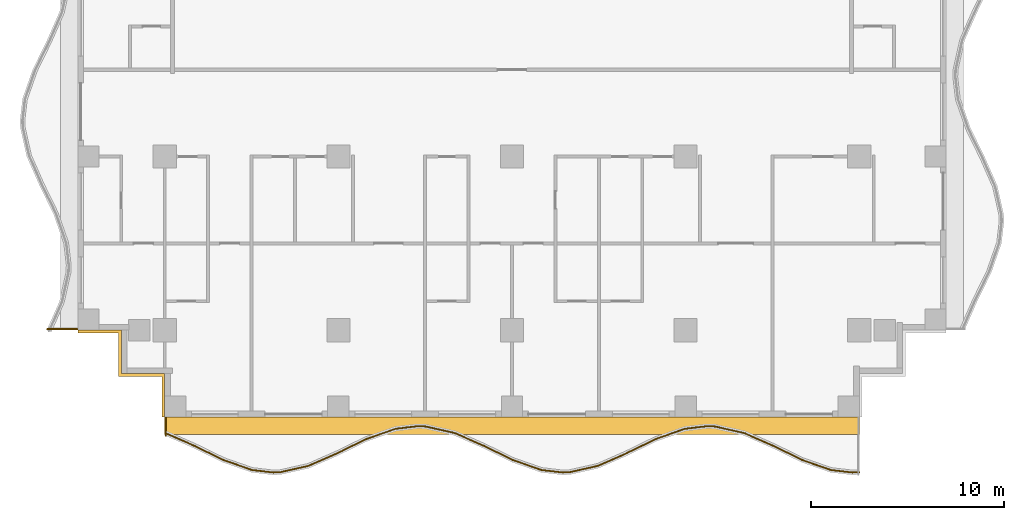
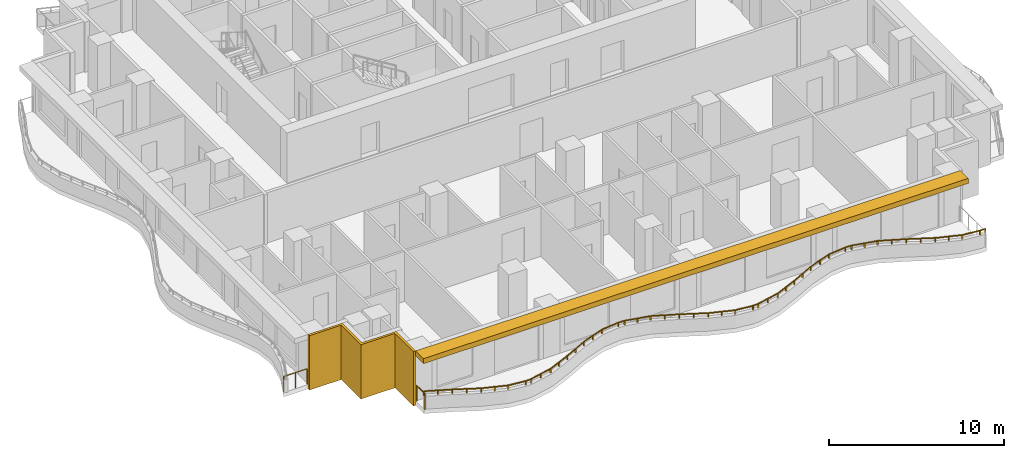
# One storey, part 7 of 10: 3 railings, 2 shading devices.
"""IFC4 building model written with IfcOpenShell, lengths in metres."""

from ifc_helpers import new_model, si_unit, direction, frame, origin, origin_2d, place, context, subcontext, project, spatial, polyline, rectangle, outline, extrude, material, layer, layer_set, type_object, element, save


model = new_model("IFC4")

# Units and contexts
model_context = context("Model", 3, precision=1e-05, world=origin(), true_north=direction((0.0, 1.0)))
body_context = subcontext(model_context, "Body", "Model", "MODEL_VIEW")
ifc_project = project(units=[si_unit("LENGTHUNIT", "METRE"), si_unit("AREAUNIT", "SQUARE_METRE"), si_unit("VOLUMEUNIT", "CUBIC_METRE"), si_unit("PLANEANGLEUNIT", "RADIAN"), si_unit("MASSUNIT", "GRAM", prefix="KILO")], contexts=[model_context])

# Site, building, storey
site_placement = place(None, origin())
site = spatial("IfcSite", under=ifc_project, at=site_placement, CompositionType="ELEMENT")
building_placement = place(site_placement, origin())
building = spatial("IfcBuilding", under=site, at=building_placement, Name="Orbiselva Terraces", CompositionType="ELEMENT")
storey_placement = place(building_placement, frame((0.0, 0.0, 170.6)))
storey = spatial("IfcBuildingStorey", under=building, at=storey_placement, Name="L43", CompositionType="ELEMENT", Elevation=170.6)

# Railings
ifc_material_1 = material(Name="Bonded two-ply safety glass balustrade, stainless steel posts", Category="steel")
railing_type_1 = type_object("IfcRailingType", Name="ENV-BALUSTRADE-1200", PredefinedType="BALUSTRADE", material=ifc_material_1)
railing_1_placement = place(storey_placement, frame((-17.949606, -18.83708, 0.9)))
element("IfcRailing", 1, at=railing_1_placement, inside=storey, type_object=railing_type_1, Name="Balcony balustrade L43 S", PredefinedType="BALUSTRADE", context=body_context, shape_type="SweptSolid", body=[
    extrude(outline(polyline([(0.028868, 0.0), (0.014434, 0.025), (-0.014434, 0.025), (-0.028868, 0.0), (-0.014434, -0.025), (0.014434, -0.025), (0.028868, 0.0)])), frame((0.0, 0.0, 0.275), z_axis=(0.915133394491, -0.403151175476, 0.0), x_axis=(0.403151175476, 0.915133394491, 0.0)), (0.0, 0.0, 1.0), 1.641563),
    extrude(outline(polyline([(0.028868, 0.0), (0.014434, 0.025), (-0.014434, 0.025), (-0.028868, 0.0), (-0.014434, -0.025), (0.014434, -0.025), (0.028868, 0.0)])), frame((1.502249, -0.661798, 0.275), z_axis=(0.89857890432, -0.438811978768, 0.0), x_axis=(0.438811978768, 0.89857890432, 0.0)), (0.0, 0.0, 1.0), 1.66438),
    extrude(outline(polyline([(0.028868, 0.0), (0.014434, 0.025), (-0.014434, 0.025), (-0.028868, 0.0), (-0.014434, -0.025), (0.014434, -0.025), (0.028868, 0.0)])), frame((2.997826, -1.392148, 0.275), z_axis=(0.943972277814, -0.330024754707, 0.0), x_axis=(0.330024754707, 0.943972277814, 0.0)), (0.0, 0.0, 1.0), 1.567807),
    extrude(outline(polyline([(0.028868, 0.0), (0.014434, 0.025), (-0.014434, 0.025), (-0.028868, 0.0), (-0.014434, -0.025), (0.014434, -0.025), (0.028868, 0.0)])), frame((4.477792, -1.909563, 0.275), z_axis=(0.993309658409, -0.115481264762, 0.0), x_axis=(0.115481264762, 0.993309658409, 0.0)), (0.0, 0.0, 1.0), 1.10902),
    extrude(outline(polyline([(0.028868, 0.0), (0.014434, 0.025), (-0.014434, 0.025), (-0.028868, 0.0), (-0.014434, -0.025), (0.014434, -0.025), (0.028868, 0.0)])), frame((5.579392, -2.037634, 0.275), z_axis=(0.999224931454, 0.039364150694, 0.0), x_axis=(-0.039364150694, 0.999224931454, 0.0)), (0.0, 0.0, 1.0), 0.354206),
    extrude(outline(polyline([(0.028868, 0.0), (0.014434, 0.025), (-0.014434, 0.025), (-0.028868, 0.0), (-0.014434, -0.025), (0.014434, -0.025), (0.028868, 0.0)])), frame((5.933323, -2.023691, 0.275), z_axis=(0.975721325753, 0.219015740235, 0.0), x_axis=(-0.219015740235, 0.975721325753, 0.0)), (0.0, 0.0, 1.0), 1.513782),
    extrude(outline(polyline([(0.028868, 0.0), (0.014434, 0.025), (-0.014434, 0.025), (-0.028868, 0.0), (-0.014434, -0.025), (0.014434, -0.025), (0.028868, 0.0)])), frame((7.410352, -1.692149, 0.275), z_axis=(0.915133363686, 0.403151245402, 0.0), x_axis=(-0.403151245402, 0.915133363686, 0.0)), (0.0, 0.0, 1.0), 1.624475),
    extrude(outline(polyline([(0.028868, 0.0), (0.014434, 0.025), (-0.014434, 0.025), (-0.028868, 0.0), (-0.014434, -0.025), (0.014434, -0.025), (0.028868, 0.0)])), frame((8.896963, -1.03724, 0.275), z_axis=(0.898578870221, 0.438812048596, 0.0), x_axis=(-0.438812048596, 0.898578870221, 0.0)), (0.0, 0.0, 1.0), 1.674225),
    extrude(outline(polyline([(0.028868, 0.0), (0.014434, 0.025), (-0.014434, 0.025), (-0.028868, 0.0), (-0.014434, -0.025), (0.014434, -0.025), (0.028868, 0.0)])), frame((10.401386, -0.30257, 0.275), z_axis=(0.943972332783, 0.330024597479, 0.0), x_axis=(-0.330024597479, 0.943972332783, 0.0)), (0.0, 0.0, 1.0), 1.610253),
    extrude(outline(polyline([(0.028868, 0.0), (0.014434, 0.025), (-0.014434, 0.025), (-0.028868, 0.0), (-0.014434, -0.025), (0.014434, -0.025), (0.028868, 0.0)])), frame((11.92142, 0.228853, 0.275), z_axis=(0.993309551734, 0.115482182324, 0.0), x_axis=(-0.115482182324, 0.993309551734, 0.0)), (0.0, 0.0, 1.0), 1.156135),
    extrude(outline(polyline([(0.028868, 0.0), (0.014434, 0.025), (-0.014434, 0.025), (-0.028868, 0.0), (-0.014434, -0.025), (0.014434, -0.025), (0.028868, 0.0)])), frame((13.06982, 0.362366, 0.275), z_axis=(0.999224734286, -0.03936915532, 0.0), x_axis=(0.03936915532, 0.999224734286, 0.0)), (0.0, 0.0, 1.0), 0.396376),
    extrude(outline(polyline([(0.028868, 0.0), (0.014434, 0.025), (-0.014434, 0.025), (-0.028868, 0.0), (-0.014434, -0.025), (0.014434, -0.025), (0.028868, 0.0)])), frame((13.465889, 0.346761, 0.275), z_axis=(0.97572137947, -0.219015500924, 0.0), x_axis=(0.219015500924, 0.97572137947, 0.0)), (0.0, 0.0, 1.0), 1.560867),
    extrude(outline(polyline([(0.028868, 0.0), (0.014434, 0.025), (-0.014434, 0.025), (-0.028868, 0.0), (-0.014434, -0.025), (0.014434, -0.025), (0.028868, 0.0)])), frame((14.98886, 0.004907, 0.275), z_axis=(0.915133527237, -0.403150874148, 0.0), x_axis=(0.403150874148, 0.915133527237, 0.0)), (0.0, 0.0, 1.0), 1.653736),
    extrude(outline(polyline([(0.028868, 0.0), (0.014434, 0.025), (-0.014434, 0.025), (-0.028868, 0.0), (-0.014434, -0.025), (0.014434, -0.025), (0.028868, 0.0)])), frame((16.502249, -0.661798, 0.275), z_axis=(0.89857890432, -0.438811978768, 0.0), x_axis=(0.438811978768, 0.89857890432, 0.0)), (0.0, 0.0, 1.0), 1.66438),
    extrude(outline(polyline([(0.028868, 0.0), (0.014434, 0.025), (-0.014434, 0.025), (-0.028868, 0.0), (-0.014434, -0.025), (0.014434, -0.025), (0.028868, 0.0)])), frame((17.997826, -1.392148, 0.275), z_axis=(0.943972277814, -0.330024754707, 0.0), x_axis=(0.330024754707, 0.943972277814, 0.0)), (0.0, 0.0, 1.0), 1.567807),
    extrude(outline(polyline([(0.028868, 0.0), (0.014434, 0.025), (-0.014434, 0.025), (-0.028868, 0.0), (-0.014434, -0.025), (0.014434, -0.025), (0.028868, 0.0)])), frame((19.477792, -1.909563, 0.275), z_axis=(0.993309658409, -0.115481264762, 0.0), x_axis=(0.115481264762, 0.993309658409, 0.0)), (0.0, 0.0, 1.0), 1.10902),
    extrude(outline(polyline([(0.028868, 0.0), (0.014434, 0.025), (-0.014434, 0.025), (-0.028868, 0.0), (-0.014434, -0.025), (0.014434, -0.025), (0.028868, 0.0)])), frame((20.579392, -2.037634, 0.275), z_axis=(0.999224931454, 0.039364150694, 0.0), x_axis=(-0.039364150694, 0.999224931454, 0.0)), (0.0, 0.0, 1.0), 0.354206),
    extrude(outline(polyline([(0.028868, 0.0), (0.014434, 0.025), (-0.014434, 0.025), (-0.028868, 0.0), (-0.014434, -0.025), (0.014434, -0.025), (0.028868, 0.0)])), frame((20.933323, -2.023691, 0.275), z_axis=(0.975721325753, 0.219015740235, 0.0), x_axis=(-0.219015740235, 0.975721325753, 0.0)), (0.0, 0.0, 1.0), 1.513782),
    extrude(outline(polyline([(0.028868, 0.0), (0.014434, 0.025), (-0.014434, 0.025), (-0.028868, 0.0), (-0.014434, -0.025), (0.014434, -0.025), (0.028868, 0.0)])), frame((22.410352, -1.692149, 0.275), z_axis=(0.915133363686, 0.403151245402, 0.0), x_axis=(-0.403151245402, 0.915133363686, 0.0)), (0.0, 0.0, 1.0), 1.624475),
    extrude(outline(polyline([(0.028868, 0.0), (0.014434, 0.025), (-0.014434, 0.025), (-0.028868, 0.0), (-0.014434, -0.025), (0.014434, -0.025), (0.028868, 0.0)])), frame((23.896963, -1.03724, 0.275), z_axis=(0.898578870221, 0.438812048596, 0.0), x_axis=(-0.438812048596, 0.898578870221, 0.0)), (0.0, 0.0, 1.0), 1.674225),
    extrude(outline(polyline([(0.028868, 0.0), (0.014434, 0.025), (-0.014434, 0.025), (-0.028868, 0.0), (-0.014434, -0.025), (0.014434, -0.025), (0.028868, 0.0)])), frame((25.401386, -0.30257, 0.275), z_axis=(0.943972332783, 0.330024597479, 0.0), x_axis=(-0.330024597479, 0.943972332783, 0.0)), (0.0, 0.0, 1.0), 1.610253),
    extrude(outline(polyline([(0.028868, 0.0), (0.014434, 0.025), (-0.014434, 0.025), (-0.028868, 0.0), (-0.014434, -0.025), (0.014434, -0.025), (0.028868, 0.0)])), frame((26.92142, 0.228853, 0.275), z_axis=(0.993309551734, 0.115482182324, 0.0), x_axis=(-0.115482182324, 0.993309551734, 0.0)), (0.0, 0.0, 1.0), 1.156135),
    extrude(outline(polyline([(0.028868, 0.0), (0.014434, 0.025), (-0.014434, 0.025), (-0.028868, 0.0), (-0.014434, -0.025), (0.014434, -0.025), (0.028868, 0.0)])), frame((28.06982, 0.362366, 0.275), z_axis=(0.999224734286, -0.03936915532, 0.0), x_axis=(0.03936915532, 0.999224734286, 0.0)), (0.0, 0.0, 1.0), 0.396376),
    extrude(outline(polyline([(0.028868, 0.0), (0.014434, 0.025), (-0.014434, 0.025), (-0.028868, 0.0), (-0.014434, -0.025), (0.014434, -0.025), (0.028868, 0.0)])), frame((28.465889, 0.346761, 0.275), z_axis=(0.97572137947, -0.219015500924, 0.0), x_axis=(0.219015500924, 0.97572137947, 0.0)), (0.0, 0.0, 1.0), 1.560867),
    extrude(outline(polyline([(0.028868, 0.0), (0.014434, 0.025), (-0.014434, 0.025), (-0.028868, 0.0), (-0.014434, -0.025), (0.014434, -0.025), (0.028868, 0.0)])), frame((29.98886, 0.004907, 0.275), z_axis=(0.915133527237, -0.403150874148, 0.0), x_axis=(0.403150874148, 0.915133527237, 0.0)), (0.0, 0.0, 1.0), 1.653736),
    extrude(outline(polyline([(0.028868, 0.0), (0.014434, 0.025), (-0.014434, 0.025), (-0.028868, 0.0), (-0.014434, -0.025), (0.014434, -0.025), (0.028868, 0.0)])), frame((31.502249, -0.661798, 0.275), z_axis=(0.89857890432, -0.438811978768, 0.0), x_axis=(0.438811978768, 0.89857890432, 0.0)), (0.0, 0.0, 1.0), 1.66438),
    extrude(outline(polyline([(0.028868, 0.0), (0.014434, 0.025), (-0.014434, 0.025), (-0.028868, 0.0), (-0.014434, -0.025), (0.014434, -0.025), (0.028868, 0.0)])), frame((32.997826, -1.392148, 0.275), z_axis=(0.943972277814, -0.330024754707, 0.0), x_axis=(0.330024754707, 0.943972277814, 0.0)), (0.0, 0.0, 1.0), 1.567807),
    extrude(outline(polyline([(0.028868, 0.0), (0.014434, 0.025), (-0.014434, 0.025), (-0.028868, 0.0), (-0.014434, -0.025), (0.014434, -0.025), (0.028868, 0.0)])), frame((34.477792, -1.909563, 0.275), z_axis=(0.993309658409, -0.115481264762, 0.0), x_axis=(0.115481264762, 0.993309658409, 0.0)), (0.0, 0.0, 1.0), 1.10902),
    extrude(outline(polyline([(0.028868, 0.0), (0.014434, 0.025), (-0.014434, 0.025), (-0.028868, 0.0), (-0.014434, -0.025), (0.014434, -0.025), (0.028868, 0.0)])), frame((35.579392, -2.037634, 0.275), z_axis=(0.999224888675, 0.039365236599, 0.0), x_axis=(-0.039365236599, 0.999224888675, 0.0)), (0.0, 0.0, 1.0), 0.365576),
    extrude(rectangle(XDim=0.05, YDim=0.05, at=origin_2d()), origin(), (0.0, 0.0, 1.0), 0.25),
    extrude(rectangle(XDim=0.05, YDim=0.05, at=origin_2d()), frame((0.751124, -0.330899, 0.0)), (0.0, 0.0, 1.0), 0.25),
    extrude(rectangle(XDim=0.05, YDim=0.05, at=origin_2d()), frame((1.502249, -0.661798, 0.0)), (0.0, 0.0, 1.0), 0.25),
    extrude(rectangle(XDim=0.05, YDim=0.05, at=origin_2d()), frame((2.250037, -1.026973, 0.0)), (0.0, 0.0, 1.0), 0.25),
    extrude(rectangle(XDim=0.05, YDim=0.05, at=origin_2d()), frame((2.997826, -1.392148, 0.0)), (0.0, 0.0, 1.0), 0.25),
    extrude(rectangle(XDim=0.05, YDim=0.05, at=origin_2d()), frame((3.737809, -1.650855, 0.0)), (0.0, 0.0, 1.0), 0.25),
    extrude(rectangle(XDim=0.05, YDim=0.05, at=origin_2d()), frame((4.477792, -1.909563, 0.0)), (0.0, 0.0, 1.0), 0.25),
    extrude(rectangle(XDim=0.05, YDim=0.05, at=origin_2d()), frame((5.579392, -2.037634, 0.0)), (0.0, 0.0, 1.0), 0.25),
    extrude(rectangle(XDim=0.05, YDim=0.05, at=origin_2d()), frame((5.933323, -2.023691, 0.0)), (0.0, 0.0, 1.0), 0.25),
    extrude(rectangle(XDim=0.05, YDim=0.05, at=origin_2d()), frame((6.671838, -1.85792, 0.0)), (0.0, 0.0, 1.0), 0.25),
    extrude(rectangle(XDim=0.05, YDim=0.05, at=origin_2d()), frame((7.410352, -1.692149, 0.0)), (0.0, 0.0, 1.0), 0.25),
    extrude(rectangle(XDim=0.05, YDim=0.05, at=origin_2d()), frame((8.153658, -1.364695, 0.0)), (0.0, 0.0, 1.0), 0.25),
    extrude(rectangle(XDim=0.05, YDim=0.05, at=origin_2d()), frame((8.896963, -1.03724, 0.0)), (0.0, 0.0, 1.0), 0.25),
    extrude(rectangle(XDim=0.05, YDim=0.05, at=origin_2d()), frame((9.649174, -0.669905, 0.0)), (0.0, 0.0, 1.0), 0.25),
    extrude(rectangle(XDim=0.05, YDim=0.05, at=origin_2d()), frame((10.401386, -0.30257, 0.0)), (0.0, 0.0, 1.0), 0.25),
    extrude(rectangle(XDim=0.05, YDim=0.05, at=origin_2d()), frame((11.161403, -0.036858, 0.0)), (0.0, 0.0, 1.0), 0.25),
    extrude(rectangle(XDim=0.05, YDim=0.05, at=origin_2d()), frame((11.92142, 0.228853, 0.0)), (0.0, 0.0, 1.0), 0.25),
    extrude(rectangle(XDim=0.05, YDim=0.05, at=origin_2d()), frame((13.06982, 0.362366, 0.0)), (0.0, 0.0, 1.0), 0.25),
    extrude(rectangle(XDim=0.05, YDim=0.05, at=origin_2d()), frame((13.465889, 0.346761, 0.0)), (0.0, 0.0, 1.0), 0.25),
    extrude(rectangle(XDim=0.05, YDim=0.05, at=origin_2d()), frame((14.227374, 0.175834, 0.0)), (0.0, 0.0, 1.0), 0.25),
    extrude(rectangle(XDim=0.05, YDim=0.05, at=origin_2d()), frame((14.98886, 0.004907, 0.0)), (0.0, 0.0, 1.0), 0.25),
    extrude(rectangle(XDim=0.05, YDim=0.05, at=origin_2d()), frame((15.745554, -0.328446, 0.0)), (0.0, 0.0, 1.0), 0.25),
    extrude(rectangle(XDim=0.05, YDim=0.05, at=origin_2d()), frame((16.502249, -0.661798, 0.0)), (0.0, 0.0, 1.0), 0.25),
    extrude(rectangle(XDim=0.05, YDim=0.05, at=origin_2d()), frame((17.250037, -1.026973, 0.0)), (0.0, 0.0, 1.0), 0.25),
    extrude(rectangle(XDim=0.05, YDim=0.05, at=origin_2d()), frame((17.997826, -1.392148, 0.0)), (0.0, 0.0, 1.0), 0.25),
    extrude(rectangle(XDim=0.05, YDim=0.05, at=origin_2d()), frame((18.737809, -1.650855, 0.0)), (0.0, 0.0, 1.0), 0.25),
    extrude(rectangle(XDim=0.05, YDim=0.05, at=origin_2d()), frame((19.477792, -1.909563, 0.0)), (0.0, 0.0, 1.0), 0.25),
    extrude(rectangle(XDim=0.05, YDim=0.05, at=origin_2d()), frame((20.579392, -2.037634, 0.0)), (0.0, 0.0, 1.0), 0.25),
    extrude(rectangle(XDim=0.05, YDim=0.05, at=origin_2d()), frame((20.933323, -2.023691, 0.0)), (0.0, 0.0, 1.0), 0.25),
    extrude(rectangle(XDim=0.05, YDim=0.05, at=origin_2d()), frame((21.671838, -1.85792, 0.0)), (0.0, 0.0, 1.0), 0.25),
    extrude(rectangle(XDim=0.05, YDim=0.05, at=origin_2d()), frame((22.410352, -1.692149, 0.0)), (0.0, 0.0, 1.0), 0.25),
    extrude(rectangle(XDim=0.05, YDim=0.05, at=origin_2d()), frame((23.153658, -1.364695, 0.0)), (0.0, 0.0, 1.0), 0.25),
    extrude(rectangle(XDim=0.05, YDim=0.05, at=origin_2d()), frame((23.896963, -1.03724, 0.0)), (0.0, 0.0, 1.0), 0.25),
    extrude(rectangle(XDim=0.05, YDim=0.05, at=origin_2d()), frame((24.649174, -0.669905, 0.0)), (0.0, 0.0, 1.0), 0.25),
    extrude(rectangle(XDim=0.05, YDim=0.05, at=origin_2d()), frame((25.401386, -0.30257, 0.0)), (0.0, 0.0, 1.0), 0.25),
    extrude(rectangle(XDim=0.05, YDim=0.05, at=origin_2d()), frame((26.161403, -0.036858, 0.0)), (0.0, 0.0, 1.0), 0.25),
    extrude(rectangle(XDim=0.05, YDim=0.05, at=origin_2d()), frame((26.92142, 0.228853, 0.0)), (0.0, 0.0, 1.0), 0.25),
    extrude(rectangle(XDim=0.05, YDim=0.05, at=origin_2d()), frame((28.06982, 0.362366, 0.0)), (0.0, 0.0, 1.0), 0.25),
    extrude(rectangle(XDim=0.05, YDim=0.05, at=origin_2d()), frame((28.465889, 0.346761, 0.0)), (0.0, 0.0, 1.0), 0.25),
    extrude(rectangle(XDim=0.05, YDim=0.05, at=origin_2d()), frame((29.227374, 0.175834, 0.0)), (0.0, 0.0, 1.0), 0.25),
    extrude(rectangle(XDim=0.05, YDim=0.05, at=origin_2d()), frame((29.98886, 0.004907, 0.0)), (0.0, 0.0, 1.0), 0.25),
    extrude(rectangle(XDim=0.05, YDim=0.05, at=origin_2d()), frame((30.745554, -0.328446, 0.0)), (0.0, 0.0, 1.0), 0.25),
    extrude(rectangle(XDim=0.05, YDim=0.05, at=origin_2d()), frame((31.502249, -0.661798, 0.0)), (0.0, 0.0, 1.0), 0.25),
    extrude(rectangle(XDim=0.05, YDim=0.05, at=origin_2d()), frame((32.250038, -1.026973, 0.0)), (0.0, 0.0, 1.0), 0.25),
    extrude(rectangle(XDim=0.05, YDim=0.05, at=origin_2d()), frame((32.997826, -1.392148, 0.0)), (0.0, 0.0, 1.0), 0.25),
    extrude(rectangle(XDim=0.05, YDim=0.05, at=origin_2d()), frame((33.737809, -1.650855, 0.0)), (0.0, 0.0, 1.0), 0.25),
    extrude(rectangle(XDim=0.05, YDim=0.05, at=origin_2d()), frame((34.477792, -1.909563, 0.0)), (0.0, 0.0, 1.0), 0.25),
    extrude(rectangle(XDim=0.05, YDim=0.05, at=origin_2d()), frame((35.579392, -2.037634, 0.0)), (0.0, 0.0, 1.0), 0.25),
    extrude(rectangle(XDim=0.05, YDim=0.05, at=origin_2d()), frame((35.944685, -2.023243, 0.0)), (0.0, 0.0, 1.0), 0.25),
])
ifc_material_2 = material(Name="Stainless steel rail and posts", Category="steel")
railing_type_2 = type_object("IfcRailingType", Name="ENV-GUARD-1105", PredefinedType="BALUSTRADE", material=ifc_material_2)
railing_2_placement = place(storey_placement, frame((-17.94, -18.973063, 0.0)))
element("IfcRailing", 2, at=railing_2_placement, inside=storey, type_object=railing_type_2, Name="Balcony end guard L43 S", PredefinedType="BALUSTRADE", context=body_context, shape_type="SweptSolid", body=[
    extrude(outline(polyline([(0.028868, 0.0), (0.014434, 0.025), (-0.014434, 0.025), (-0.028868, 0.0), (-0.014434, -0.025), (0.014434, -0.025), (0.028868, 0.0)])), frame((0.0, 0.0, 1.08), z_axis=(0.0, 1.0, 0.0), x_axis=(-1.0, 0.0, 0.0)), (0.0, 0.0, 1.0), 0.948063),
    extrude(rectangle(XDim=0.05, YDim=0.05, at=origin_2d()), origin(), (0.0, 0.0, 1.0), 1.055),
    extrude(rectangle(XDim=0.05, YDim=0.05, at=origin_2d()), frame((0.0, 0.948063, 0.0)), (0.0, 0.0, 1.0), 1.055),
])
railing_3_placement = place(storey_placement, frame((-24.082553, -13.44, 0.0)))
element("IfcRailing", 3, at=railing_3_placement, inside=storey, type_object=railing_type_2, Name="Balcony end guard L43 W", PredefinedType="BALUSTRADE", context=body_context, shape_type="SweptSolid", body=[
    extrude(outline(polyline([(0.028868, 0.0), (0.014434, 0.025), (-0.014434, 0.025), (-0.028868, 0.0), (-0.014434, -0.025), (0.014434, -0.025), (0.028868, 0.0)])), frame((0.0, 0.0, 1.08), z_axis=(1.0, 0.0, 0.0), x_axis=(0.0, 1.0, 0.0)), (0.0, 0.0, 1.0), 1.557553),
    extrude(rectangle(XDim=0.05, YDim=0.05, at=origin_2d()), origin(), (0.0, 0.0, 1.0), 1.055),
    extrude(rectangle(XDim=0.05, YDim=0.05, at=origin_2d()), frame((0.778777, 0.0, 0.0)), (0.0, 0.0, 1.0), 1.055),
    extrude(rectangle(XDim=0.05, YDim=0.05, at=origin_2d()), frame((1.557553, 0.0, 0.0)), (0.0, 0.0, 1.0), 1.055),
])

# Shading devices
ifc_material_3 = material(Name="Terracotta louvre screen", Category="masonry")
ifc_layer_1 = layer(ifc_material_3, 0.15)
ifc_layer_set_1 = layer_set([ifc_layer_1], Name="Terracotta louvre screen")
shading_device_type_1 = type_object("IfcShadingDeviceType", Name="ENV-SCREEN-150", PredefinedType="USERDEFINED", material=ifc_layer_set_1)
shading_device_1_placement = place(storey_placement, frame((0.0, 0.0, -0.3)))
element("IfcShadingDevice", 4, at=shading_device_1_placement, inside=storey, type_object=shading_device_type_1, Name="Louvre screen L43 SW", ObjectType="SCREEN", PredefinedType="USERDEFINED", context=body_context, shape_type="SweptSolid", body=[
    extrude(outline(polyline([(-22.5, -13.65), (-20.4, -13.65), (-20.4, -15.9), (-18.15, -15.9), (-18.15, -18.0), (-18.0, -18.0), (-18.0, -15.75), (-20.25, -15.75), (-20.25, -13.5), (-22.5, -13.5), (-22.5, -13.65)])), origin(), (0.0, 0.0, 1.0), 3.8),
])
ifc_material_4 = material(Name="Terracotta baguette sunshade", Category="masonry")
ifc_layer_2 = layer(ifc_material_4, 0.35)
ifc_layer_set_2 = layer_set([ifc_layer_2], Name="Terracotta baguette sunshade")
shading_device_type_2 = type_object("IfcShadingDeviceType", Name="ENV-SUNSHADE-900x350", PredefinedType="USERDEFINED", material=ifc_layer_set_2)
shading_device_2_placement = place(storey_placement, frame((0.0, 0.0, 3.15)))
element("IfcShadingDevice", 5, at=shading_device_2_placement, inside=storey, type_object=shading_device_type_2, Name="Sunshade band L43 S", ObjectType="SUNSHADE", PredefinedType="USERDEFINED", context=body_context, shape_type="SweptSolid", body=[
    extrude(outline(polyline([(-18.0, -18.9), (18.0, -18.9), (18.0, -18.0), (-18.0, -18.0), (-18.0, -18.9)])), origin(), (0.0, 0.0, 1.0), 0.35),
])

save(model, "model.ifc")
